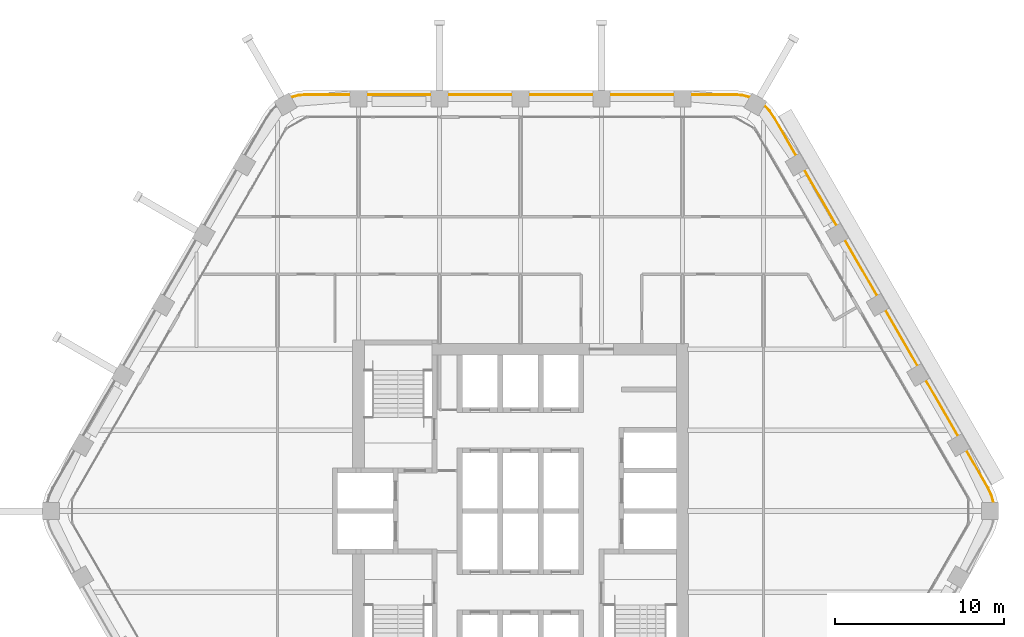
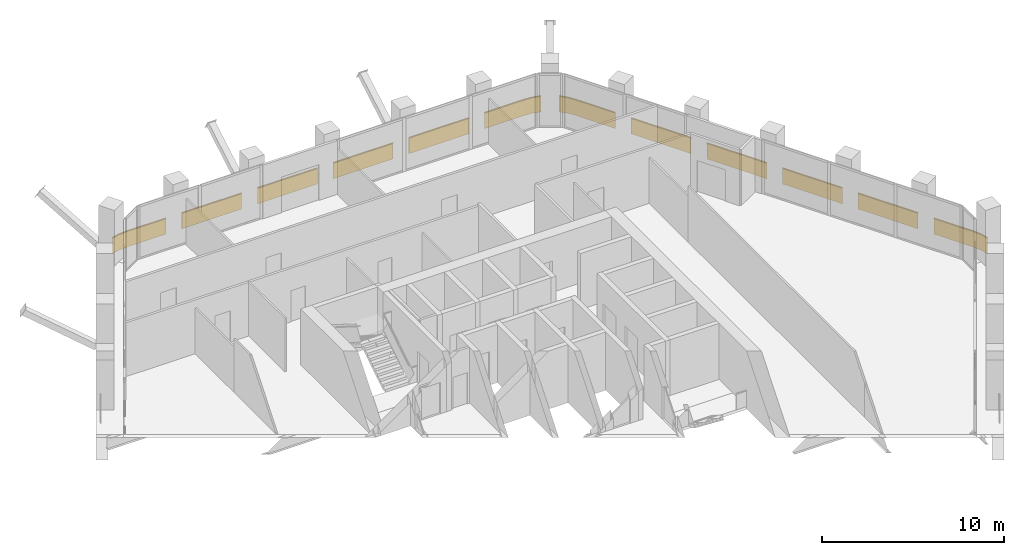
# One storey, part 16 of 16: 2 railings.
"""IFC4 building model written with IfcOpenShell, lengths in metres."""

from ifc_helpers import new_model, si_unit, direction, frame, frame_2d, origin, origin_2d, place, context, subcontext, project, spatial, rectangle, extrude, material, type_object, element, save


model = new_model("IFC4")

# Units and contexts
model_context = context("Model", 3, precision=1e-05, world=origin(), true_north=direction((0.0, 1.0)))
body_context = subcontext(model_context, "Body", "Model", "MODEL_VIEW")
ifc_project = project(units=[si_unit("LENGTHUNIT", "METRE"), si_unit("AREAUNIT", "SQUARE_METRE"), si_unit("VOLUMEUNIT", "CUBIC_METRE"), si_unit("PLANEANGLEUNIT", "RADIAN"), si_unit("MASSUNIT", "GRAM", prefix="KILO")], contexts=[model_context])

# Site, building, storey
site_placement = place(None, origin())
site = spatial("IfcSite", under=ifc_project, at=site_placement, CompositionType="ELEMENT")
building_placement = place(site_placement, origin())
building = spatial("IfcBuilding", under=site, at=building_placement, Name="Kolab Exchange Tower", CompositionType="ELEMENT")
storey_placement = place(building_placement, frame((0.0, 0.0, 146.60009765625)))
storey = spatial("IfcBuildingStorey", under=building, at=storey_placement, Name="L29", CompositionType="ELEMENT", Elevation=146.60009765625)

# Railings
ifc_material = material(Name="Steel S235", Category="steel")
railing_type = type_object("IfcRailingType", Name="GUARD 1100 GLASS BALUSTRADE AND STEEL TOP RAIL", PredefinedType="GUARDRAIL", material=ifc_material)
railing_1_placement = place(storey_placement, frame((13.588623046875, 24.531005859375, 0.0)))
element("IfcRailing", 1, at=railing_1_placement, inside=storey, type_object=railing_type, Name="Guard", PredefinedType="GUARDRAIL", context=body_context, shape_type="SweptSolid", body=[
    extrude(rectangle(XDim=0.05, YDim=0.05, at=origin_2d()), frame((0.0, 0.0, 1.0751953125), z_axis=(-0.965969425465, 0.25865627591, 0.0), x_axis=(-0.25865627591, -0.965969425465, 0.0)), (0.0, 0.0, 1.0), 0.458740234375),
    extrude(rectangle(XDim=0.012, YDim=1.05009765625, at=frame_2d((0.0, 0.525146484375))), frame((0.0, 0.0, 0.0), z_axis=(-0.965969425465, 0.25865627591, 0.0), x_axis=(-0.25865627591, -0.965969425465, 0.0)), (0.0, 0.0, 1.0), 0.458740234375),
    extrude(rectangle(XDim=0.05, YDim=0.05, at=origin_2d()), frame((-0.443115234375, 0.11865234375, 1.0751953125), z_axis=(-0.996156034798, 0.087596542937, 0.0), x_axis=(-0.087596542937, -0.996156034798, 0.0)), (0.0, 0.0, 1.0), 0.4794921875),
    extrude(rectangle(XDim=0.012, YDim=1.05009765625, at=frame_2d((0.0, 0.525146484375))), frame((-0.443115234375, 0.11865234375, 0.0), z_axis=(-0.996156034798, 0.087596542937, 0.0), x_axis=(-0.087596542937, -0.996156034798, 0.0)), (0.0, 0.0, 1.0), 0.4794921875),
    extrude(rectangle(XDim=0.05, YDim=0.05, at=origin_2d()), frame((-0.920654296875, 0.16064453125, 1.0751953125), z_axis=(-1.0, 0.0, 0.0), x_axis=(0.0, -1.0, 0.0)), (0.0, 0.0, 1.0), 2.56787109375),
    extrude(rectangle(XDim=0.012, YDim=1.05009765625, at=frame_2d((0.0, 0.525146484375))), frame((-0.920654296875, 0.16064453125, 0.0), z_axis=(-1.0, 0.0, 0.0), x_axis=(0.0, -1.0, 0.0)), (0.0, 0.0, 1.0), 2.56787109375),
    extrude(rectangle(XDim=0.05, YDim=0.05, at=origin_2d()), frame((-4.488525390625, 0.16064453125, 1.0751953125), z_axis=(-1.0, 0.0, 0.0), x_axis=(0.0, -1.0, 0.0)), (0.0, 0.0, 1.0), 3.800048828125),
    extrude(rectangle(XDim=0.012, YDim=1.05009765625, at=frame_2d((0.0, 0.525146484375))), frame((-4.488525390625, 0.16064453125, 0.0), z_axis=(-1.0, 0.0, 0.0), x_axis=(0.0, -1.0, 0.0)), (0.0, 0.0, 1.0), 3.800048828125),
    extrude(rectangle(XDim=0.05, YDim=0.05, at=origin_2d()), frame((-9.28857421875, 0.16064453125, 1.0751953125), z_axis=(-1.0, 0.0, 0.0), x_axis=(0.0, -1.0, 0.0)), (0.0, 0.0, 1.0), 3.800048828125),
    extrude(rectangle(XDim=0.012, YDim=1.05009765625, at=frame_2d((0.0, 0.525146484375))), frame((-9.28857421875, 0.16064453125, 0.0), z_axis=(-1.0, 0.0, 0.0), x_axis=(0.0, -1.0, 0.0)), (0.0, 0.0, 1.0), 3.800048828125),
    extrude(rectangle(XDim=0.05, YDim=0.05, at=origin_2d()), frame((-14.088623046875, 0.16064453125, 1.0751953125), z_axis=(-1.0, 0.0, 0.0), x_axis=(0.0, -1.0, 0.0)), (0.0, 0.0, 1.0), 3.800048828125),
    extrude(rectangle(XDim=0.012, YDim=1.05009765625, at=frame_2d((0.0, 0.525146484375))), frame((-14.088623046875, 0.16064453125, 0.0), z_axis=(-1.0, 0.0, 0.0), x_axis=(0.0, -1.0, 0.0)), (0.0, 0.0, 1.0), 3.800048828125),
    extrude(rectangle(XDim=0.05, YDim=0.05, at=origin_2d()), frame((-18.888671875, 0.16064453125, 1.0751953125), z_axis=(-1.0, 0.0, 0.0), x_axis=(0.0, -1.0, 0.0)), (0.0, 0.0, 1.0), 3.800048828125),
    extrude(rectangle(XDim=0.012, YDim=1.05009765625, at=frame_2d((0.0, 0.525146484375))), frame((-18.888671875, 0.16064453125, 0.0), z_axis=(-1.0, 0.0, 0.0), x_axis=(0.0, -1.0, 0.0)), (0.0, 0.0, 1.0), 3.800048828125),
    extrude(rectangle(XDim=0.05, YDim=0.05, at=origin_2d()), frame((-23.688720703125, 0.16064453125, 1.0751953125), z_axis=(-1.0, 0.0, 0.0), x_axis=(0.0, -1.0, 0.0)), (0.0, 0.0, 1.0), 2.56787109375),
    extrude(rectangle(XDim=0.012, YDim=1.05009765625, at=frame_2d((0.0, 0.525146484375))), frame((-23.688720703125, 0.16064453125, 0.0), z_axis=(-1.0, 0.0, 0.0), x_axis=(0.0, -1.0, 0.0)), (0.0, 0.0, 1.0), 2.56787109375),
    extrude(rectangle(XDim=0.05, YDim=0.05, at=origin_2d()), frame((-26.256591796875, 0.16064453125, 1.0751953125), z_axis=(-0.996156034798, -0.087596542937, 0.0), x_axis=(0.087596542937, -0.996156034798, 0.0)), (0.0, 0.0, 1.0), 0.4794921875),
    extrude(rectangle(XDim=0.012, YDim=1.05009765625, at=frame_2d((0.0, 0.525146484375))), frame((-26.256591796875, 0.16064453125, 0.0), z_axis=(-0.996156034798, -0.087596542937, 0.0), x_axis=(0.087596542937, -0.996156034798, 0.0)), (0.0, 0.0, 1.0), 0.4794921875),
    extrude(rectangle(XDim=0.05, YDim=0.05, at=origin_2d()), frame((-26.734130859375, 0.11865234375, 1.0751953125), z_axis=(-0.965969425465, -0.25865627591, 0.0), x_axis=(0.25865627591, -0.965969425465, 0.0)), (0.0, 0.0, 1.0), 0.458740234375),
    extrude(rectangle(XDim=0.012, YDim=1.05009765625, at=frame_2d((0.0, 0.525146484375))), frame((-26.734130859375, 0.11865234375, 0.0), z_axis=(-0.965969425465, -0.25865627591, 0.0), x_axis=(0.25865627591, -0.965969425465, 0.0)), (0.0, 0.0, 1.0), 0.458740234375),
])
railing_2_placement = place(storey_placement, frame((28.038818359375, 0.49755859375, 0.0)))
element("IfcRailing", 2, at=railing_2_placement, inside=storey, type_object=railing_type, Name="Guard", PredefinedType="GUARDRAIL", context=body_context, shape_type="SweptSolid", body=[
    extrude(rectangle(XDim=0.05, YDim=0.05, at=origin_2d()), frame((0.0, 0.0, 1.0751953125), z_axis=(-0.25865627591, 0.965969425465, 0.0), x_axis=(-0.965969425465, -0.25865627591, 0.0)), (0.0, 0.0, 1.0), 0.458740234375),
    extrude(rectangle(XDim=0.012, YDim=1.05009765625, at=frame_2d((0.0, 0.525146484375))), frame((0.0, 0.0, 0.0), z_axis=(-0.25865627591, 0.965969425465, 0.0), x_axis=(-0.965969425465, -0.25865627591, 0.0)), (0.0, 0.0, 1.0), 0.458740234375),
    extrude(rectangle(XDim=0.05, YDim=0.05, at=origin_2d()), frame((-0.11865234375, 0.443115234375, 1.0751953125), z_axis=(-0.422801802984, 0.906222177721, 0.0), x_axis=(-0.906222177721, -0.422801802984, 0.0)), (0.0, 0.0, 1.0), 0.479248046875),
    extrude(rectangle(XDim=0.012, YDim=1.05009765625, at=frame_2d((0.0, 0.525146484375))), frame((-0.11865234375, 0.443115234375, 0.0), z_axis=(-0.422801802984, 0.906222177721, 0.0), x_axis=(-0.906222177721, -0.422801802984, 0.0)), (0.0, 0.0, 1.0), 0.479248046875),
    extrude(rectangle(XDim=0.05, YDim=0.05, at=origin_2d()), frame((-0.3212890625, 0.87744140625, 1.0751953125), z_axis=(-0.499994038704, 0.866028845513, 0.0), x_axis=(-0.866028845513, -0.499994038704, 0.0)), (0.0, 0.0, 1.0), 2.56787109375),
    extrude(rectangle(XDim=0.012, YDim=1.05009765625, at=frame_2d((0.0, 0.525146484375))), frame((-0.3212890625, 0.87744140625, 0.0), z_axis=(-0.499994038704, 0.866028845513, 0.0), x_axis=(-0.866028845513, -0.499994038704, 0.0)), (0.0, 0.0, 1.0), 2.56787109375),
    extrude(rectangle(XDim=0.05, YDim=0.05, at=origin_2d()), frame((-2.105224609375, 3.96728515625, 1.0751953125), z_axis=(-0.500015340139, 0.86601654697, 0.0), x_axis=(-0.86601654697, -0.500015340139, 0.0)), (0.0, 0.0, 1.0), 3.80029296875),
    extrude(rectangle(XDim=0.012, YDim=1.05009765625, at=frame_2d((0.0, 0.525146484375))), frame((-2.105224609375, 3.96728515625, 0.0), z_axis=(-0.500015340139, 0.86601654697, 0.0), x_axis=(-0.86601654697, -0.500015340139, 0.0)), (0.0, 0.0, 1.0), 3.80029296875),
    extrude(rectangle(XDim=0.05, YDim=0.05, at=origin_2d()), frame((-4.50537109375, 8.124267578125, 1.0751953125), z_axis=(-0.499967155389, 0.866044365799, 0.0), x_axis=(-0.866044365799, -0.499967155389, 0.0)), (0.0, 0.0, 1.0), 3.800048828125),
    extrude(rectangle(XDim=0.012, YDim=1.05009765625, at=frame_2d((0.0, 0.525146484375))), frame((-4.50537109375, 8.124267578125, 0.0), z_axis=(-0.499967155389, 0.866044365799, 0.0), x_axis=(-0.866044365799, -0.499967155389, 0.0)), (0.0, 0.0, 1.0), 3.800048828125),
    extrude(rectangle(XDim=0.05, YDim=0.05, at=origin_2d()), frame((-6.9052734375, 12.28125, 1.0751953125), z_axis=(-0.500043160704, 0.866000483506, 0.0), x_axis=(-0.866000483506, -0.500043160704, 0.0)), (0.0, 0.0, 1.0), 3.800048828125),
    extrude(rectangle(XDim=0.012, YDim=1.05009765625, at=frame_2d((0.0, 0.525146484375))), frame((-6.9052734375, 12.28125, 0.0), z_axis=(-0.500043160704, 0.866000483506, 0.0), x_axis=(-0.866000483506, -0.500043160704, 0.0)), (0.0, 0.0, 1.0), 3.800048828125),
    extrude(rectangle(XDim=0.05, YDim=0.05, at=origin_2d()), frame((-9.305419921875, 16.438232421875, 1.0751953125), z_axis=(-0.499994975061, 0.866028304915, 0.0), x_axis=(-0.866028304915, -0.499994975061, 0.0)), (0.0, 0.0, 1.0), 3.7998046875),
    extrude(rectangle(XDim=0.012, YDim=1.05009765625, at=frame_2d((0.0, 0.525146484375))), frame((-9.305419921875, 16.438232421875, 0.0), z_axis=(-0.499994975061, 0.866028304915, 0.0), x_axis=(-0.866028304915, -0.499994975061, 0.0)), (0.0, 0.0, 1.0), 3.7998046875),
    extrude(rectangle(XDim=0.05, YDim=0.05, at=origin_2d()), frame((-11.705322265625, 20.594970703125, 1.0751953125), z_axis=(-0.499952873616, 0.866052610505, 0.0), x_axis=(-0.866052610505, -0.499952873616, 0.0)), (0.0, 0.0, 1.0), 2.568115234375),
    extrude(rectangle(XDim=0.012, YDim=1.05009765625, at=frame_2d((0.0, 0.525146484375))), frame((-11.705322265625, 20.594970703125, 0.0), z_axis=(-0.499952873616, 0.866052610505, 0.0), x_axis=(-0.866052610505, -0.499952873616, 0.0)), (0.0, 0.0, 1.0), 2.568115234375),
    extrude(rectangle(XDim=0.05, YDim=0.05, at=origin_2d()), frame((-12.9892578125, 22.819091796875, 1.0751953125), z_axis=(-0.573599091554, 0.819136180478, 0.0), x_axis=(-0.819136180478, -0.573599091554, 0.0)), (0.0, 0.0, 1.0), 0.479248046875),
    extrude(rectangle(XDim=0.012, YDim=1.05009765625, at=frame_2d((0.0, 0.525146484375))), frame((-12.9892578125, 22.819091796875, 0.0), z_axis=(-0.573599091554, 0.819136180478, 0.0), x_axis=(-0.819136180478, -0.573599091554, 0.0)), (0.0, 0.0, 1.0), 0.479248046875),
    extrude(rectangle(XDim=0.05, YDim=0.05, at=origin_2d()), frame((-13.26416015625, 23.211669921875, 1.0751953125), z_axis=(-0.70737286085, 0.706840601361, 0.0), x_axis=(-0.706840601361, -0.70737286085, 0.0)), (0.0, 0.0, 1.0), 0.458740234375),
    extrude(rectangle(XDim=0.012, YDim=1.05009765625, at=frame_2d((0.0, 0.525146484375))), frame((-13.26416015625, 23.211669921875, 0.0), z_axis=(-0.70737286085, 0.706840601361, 0.0), x_axis=(-0.706840601361, -0.70737286085, 0.0)), (0.0, 0.0, 1.0), 0.458740234375),
])

save(model, "model.ifc")
